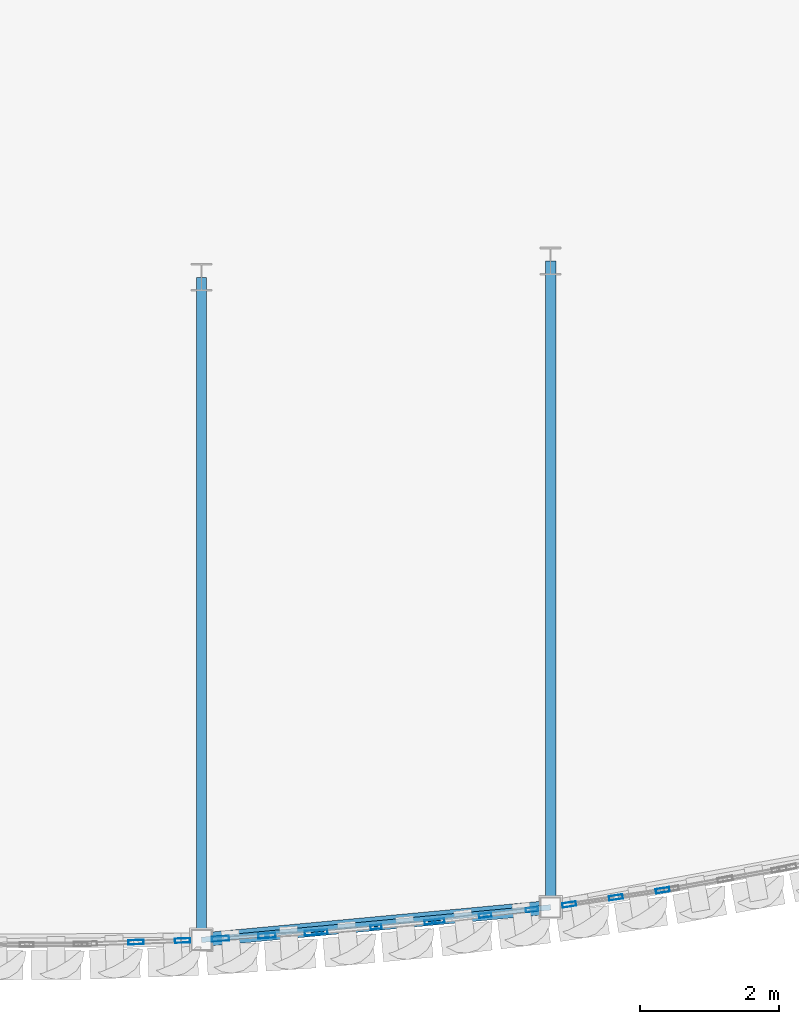
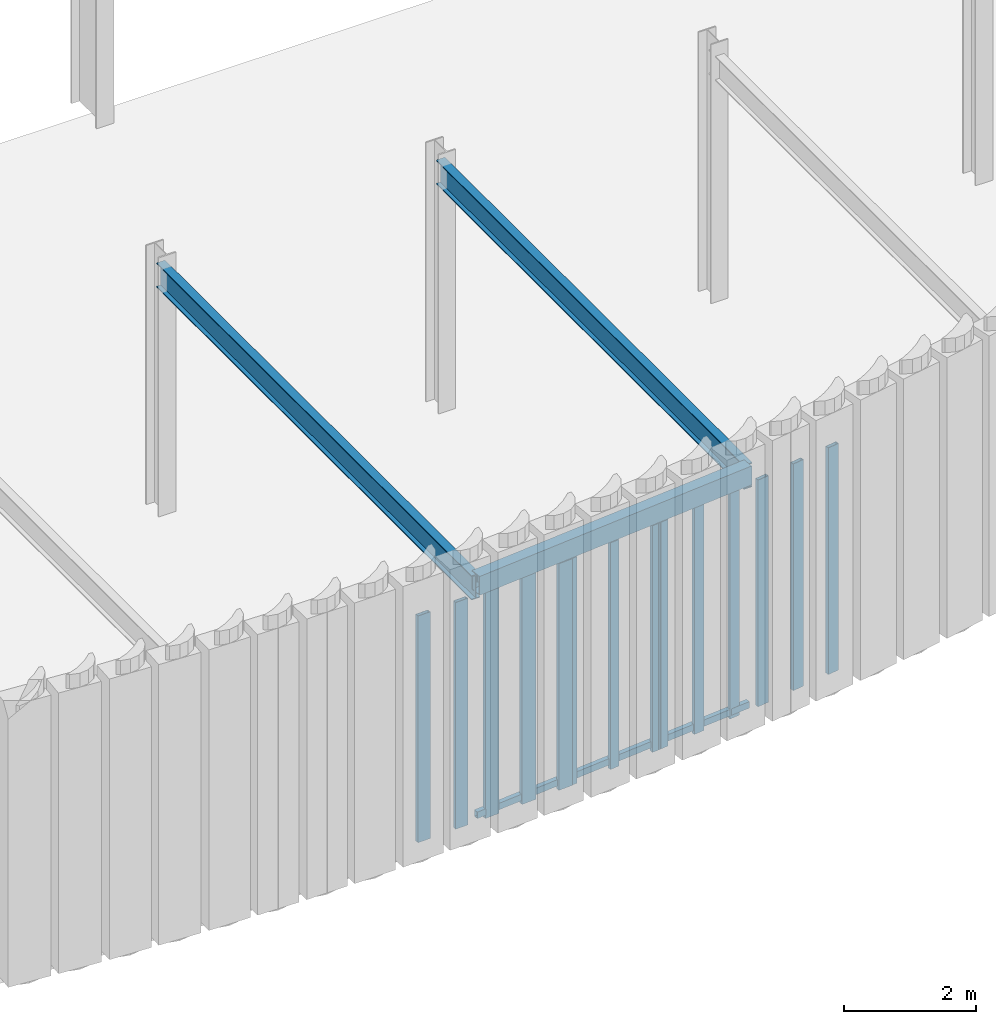
# One storey, part 46 of 126: 16 members, 3 beams, 5 elements without a shape of their own.
"""IFC4 building model written with IfcOpenShell, lengths in metres."""

from ifc_helpers import new_model, si_unit, direction, frame, origin, origin_2d, place, context, subcontext, project, spatial, hollow_rectangle, i_section, extrude, material, layer, layer_set, material_profile, profile_set, type_object, element, aggregate, save


model = new_model("IFC4")

# Units and contexts
model_context = context("Model", 3, precision=1e-05, world=origin(), true_north=direction((0.0, 1.0)))
body_context = subcontext(model_context, "Body", "Model", "MODEL_VIEW")
ifc_project = project(units=[si_unit("LENGTHUNIT", "METRE"), si_unit("AREAUNIT", "SQUARE_METRE"), si_unit("VOLUMEUNIT", "CUBIC_METRE"), si_unit("PLANEANGLEUNIT", "RADIAN"), si_unit("MASSUNIT", "GRAM", prefix="KILO")], contexts=[model_context])

# Site, building, storey
site_placement = place(None, origin())
site = spatial("IfcSite", under=ifc_project, at=site_placement, CompositionType="ELEMENT")
building_placement = place(site_placement, origin())
building = spatial("IfcBuilding", under=site, at=building_placement, Name="Solvadek Multi-Sports Hall", CompositionType="ELEMENT")
storey_placement = place(building_placement, frame((0.0, 0.0, 9.60009765625)))
storey = spatial("IfcBuildingStorey", under=building, at=storey_placement, Name="L02", CompositionType="ELEMENT", Elevation=9.60009765625)

# Curtain wall, members
ifc_material_1 = material(Name="Anodised aluminium", Category="aluminium")
ifc_layer_1 = layer(ifc_material_1, 0.159912109375, Name="Anodised aluminium")
ifc_layer_set_1 = layer_set([ifc_layer_1], Name="Anodised aluminium")
curtain_wall_type_1 = type_object("IfcCurtainWallType", Name="ENV-CW-163X420", PredefinedType="USERDEFINED", material=ifc_layer_set_1)
curtain_wall_1_placement = place(storey_placement, origin())
curtain_wall_1 = element("IfcCurtainWall", 1, at=curtain_wall_1_placement, inside=storey, type_object=curtain_wall_type_1, Name="L02 Crescent Curved Curtain Wall #70", ObjectType="CURTAIN WALL", PredefinedType="USERDEFINED")
ifc_material_profile_1 = material_profile(ifc_material_1, hollow_rectangle(XDim=0.06005859375, YDim=0.159912109375, WallThickness=0.00390625, at=origin_2d()), Name="ALU-M 160x60x4")
ifc_profile_set_1 = profile_set([ifc_material_profile_1], Name="Anodised aluminium")
member_type_1 = type_object("IfcMemberType", Name="ENV-CWM-01", PredefinedType="MULLION", material=ifc_profile_set_1)
member_1_placement = place(storey_placement, frame((98.2197265625, -13.015625, 0.0), z_axis=(0.0, 0.0, 1.0), x_axis=(-0.092796230852, 0.995685120678, 0.0)))
member_1 = element("IfcMember", 2, at=member_1_placement, type_object=member_type_1, Name="CW-15 mullion 1", PredefinedType="MULLION", context=body_context, shape_type="SweptSolid", body=[
    extrude(hollow_rectangle(XDim=0.06005859375, YDim=0.159912109375, WallThickness=0.00390625, at=origin_2d()), origin(), (0.0, 0.0, 1.0), 4.199951171875),
])
member_2_placement = place(storey_placement, frame((99.0, -12.94287109375, 0.0), z_axis=(0.0, 0.0, 1.0), x_axis=(-0.092796230852, 0.995685120678, 0.0)))
member_2 = element("IfcMember", 3, at=member_2_placement, type_object=member_type_1, Name="CW-15 mullion 2", PredefinedType="MULLION", context=body_context, shape_type="SweptSolid", body=[
    extrude(hollow_rectangle(XDim=0.06005859375, YDim=0.159912109375, WallThickness=0.00390625, at=origin_2d()), origin(), (0.0, 0.0, 1.0), 4.199951171875),
])
member_3_placement = place(storey_placement, frame((99.7802734375, -12.8701171875, 0.0), z_axis=(0.0, 0.0, 1.0), x_axis=(-0.092796230852, 0.995685120678, 0.0)))
member_3 = element("IfcMember", 4, at=member_3_placement, type_object=member_type_1, Name="CW-15 mullion 3", PredefinedType="MULLION", context=body_context, shape_type="SweptSolid", body=[
    extrude(hollow_rectangle(XDim=0.06005859375, YDim=0.159912109375, WallThickness=0.00390625, at=origin_2d()), origin(), (0.0, 0.0, 1.0), 4.199951171875),
])
aggregate(curtain_wall_1, [member_1, member_2, member_3])

ifc_layer_2 = layer(ifc_material_1, 0.159912109375, Name="Anodised aluminium")
ifc_layer_set_2 = layer_set([ifc_layer_2], Name="Anodised aluminium")
curtain_wall_type_2 = type_object("IfcCurtainWallType", Name="ENV-CW-142X420", PredefinedType="USERDEFINED", material=ifc_layer_set_2)
curtain_wall_2_placement = place(storey_placement, origin())
curtain_wall_2 = element("IfcCurtainWall", 5, at=curtain_wall_2_placement, inside=storey, type_object=curtain_wall_type_2, Name="L02 Crescent Curved Curtain Wall #72", ObjectType="CURTAIN WALL", PredefinedType="USERDEFINED")
ifc_material_profile_2 = material_profile(ifc_material_1, hollow_rectangle(XDim=0.06005859375, YDim=0.179931640625, WallThickness=0.00390625, at=origin_2d()), Name="ALU-M 180x60x4")
ifc_profile_set_2 = profile_set([ifc_material_profile_2], Name="Anodised aluminium")
member_type_2 = type_object("IfcMemberType", Name="ENV-CWM-02", PredefinedType="MULLION", material=ifc_profile_set_2)
member_4_placement = place(storey_placement, frame((99.899658203125, -12.857177734375, 0.0), z_axis=(0.0, 0.0, 1.0), x_axis=(-0.12168111635, 0.992569244901, 0.0)))
member_4 = element("IfcMember", 6, at=member_4_placement, type_object=member_type_2, Name="CW-27 mullion 1", PredefinedType="MULLION", context=body_context, shape_type="SweptSolid", body=[
    extrude(hollow_rectangle(XDim=0.06005859375, YDim=0.179931640625, WallThickness=0.00390625, at=origin_2d()), origin(), (0.0, 0.0, 1.0), 4.199951171875),
])
member_5_placement = place(storey_placement, frame((100.57568359375, -12.7744140625, 0.0), z_axis=(0.0, 0.0, 1.0), x_axis=(-0.12168111635, 0.992569244901, 0.0)))
member_5 = element("IfcMember", 7, at=member_5_placement, type_object=member_type_2, Name="CW-27 mullion 2", PredefinedType="MULLION", context=body_context, shape_type="SweptSolid", body=[
    extrude(hollow_rectangle(XDim=0.06005859375, YDim=0.179931640625, WallThickness=0.00390625, at=origin_2d()), origin(), (0.0, 0.0, 1.0), 4.199951171875),
])
member_6_placement = place(storey_placement, frame((101.251953125, -12.69140625, 0.0), z_axis=(0.0, 0.0, 1.0), x_axis=(-0.12168111635, 0.992569244901, 0.0)))
member_6 = element("IfcMember", 8, at=member_6_placement, type_object=member_type_2, Name="CW-27 mullion 3", PredefinedType="MULLION", context=body_context, shape_type="SweptSolid", body=[
    extrude(hollow_rectangle(XDim=0.06005859375, YDim=0.179931640625, WallThickness=0.00390625, at=origin_2d()), origin(), (0.0, 0.0, 1.0), 4.199951171875),
])
aggregate(curtain_wall_2, [member_4, member_5, member_6])

ifc_layer_3 = layer(ifc_material_1, 0.159912109375, Name="Anodised aluminium")
ifc_layer_set_3 = layer_set([ifc_layer_3], Name="Anodised aluminium")
curtain_wall_type_3 = type_object("IfcCurtainWallType", Name="ENV-CW-143X420", PredefinedType="USERDEFINED", material=ifc_layer_set_3)
curtain_wall_3_placement = place(storey_placement, origin())
curtain_wall_3 = element("IfcCurtainWall", 9, at=curtain_wall_3_placement, inside=storey, type_object=curtain_wall_type_3, Name="L02 Crescent Curved Curtain Wall #74", ObjectType="CURTAIN WALL", PredefinedType="USERDEFINED")
ifc_material_profile_3 = material_profile(ifc_material_1, hollow_rectangle(XDim=0.06494140625, YDim=0.199951171875, WallThickness=0.0048828125, at=origin_2d()), Name="ALU-M 200x65x5")
ifc_profile_set_3 = profile_set([ifc_material_profile_3], Name="Anodised aluminium")
member_type_3 = type_object("IfcMemberType", Name="ENV-CWM-03", PredefinedType="MULLION", material=ifc_profile_set_3)
member_7_placement = place(storey_placement, frame((101.78955078125, -12.61767578125, 0.0), z_axis=(0.0, 0.0, 1.0), x_axis=(-0.150563892653, 0.98860028031, 0.0)))
member_7 = element("IfcMember", 10, at=member_7_placement, type_object=member_type_3, Name="CW-26 mullion 1", PredefinedType="MULLION", context=body_context, shape_type="SweptSolid", body=[
    extrude(hollow_rectangle(XDim=0.06494140625, YDim=0.199951171875, WallThickness=0.0048828125, at=origin_2d()), origin(), (0.0, 0.0, 1.0), 4.199951171875),
])
member_8_placement = place(storey_placement, frame((102.4638671875, -12.514892578125, 0.0), z_axis=(0.0, 0.0, 1.0), x_axis=(-0.150563892653, 0.98860028031, 0.0)))
member_8 = element("IfcMember", 11, at=member_8_placement, type_object=member_type_3, Name="CW-26 mullion 2", PredefinedType="MULLION", context=body_context, shape_type="SweptSolid", body=[
    extrude(hollow_rectangle(XDim=0.06494140625, YDim=0.199951171875, WallThickness=0.0048828125, at=origin_2d()), origin(), (0.0, 0.0, 1.0), 4.199951171875),
])
member_9_placement = place(storey_placement, frame((103.13818359375, -12.412109375, 0.0), z_axis=(0.0, 0.0, 1.0), x_axis=(-0.150563892653, 0.98860028031, 0.0)))
member_9 = element("IfcMember", 12, at=member_9_placement, type_object=member_type_3, Name="CW-26 mullion 3", PredefinedType="MULLION", context=body_context, shape_type="SweptSolid", body=[
    extrude(hollow_rectangle(XDim=0.06494140625, YDim=0.199951171875, WallThickness=0.0048828125, at=origin_2d()), origin(), (0.0, 0.0, 1.0), 4.199951171875),
])
aggregate(curtain_wall_3, [member_7, member_8, member_9])

ifc_layer_4 = layer(ifc_material_1, 0.159912109375, Name="Anodised aluminium")
ifc_layer_set_4 = layer_set([ifc_layer_4], Name="Anodised aluminium")
curtain_wall_type_4 = type_object("IfcCurtainWallType", Name="ENV-CW-141X420", PredefinedType="USERDEFINED", material=ifc_layer_set_4)
curtain_wall_4_placement = place(storey_placement, origin())
curtain_wall_4 = element("IfcCurtainWall", 13, at=curtain_wall_4_placement, inside=storey, type_object=curtain_wall_type_4, Name="L02 Crescent Curved Curtain Wall #66", ObjectType="CURTAIN WALL", PredefinedType="USERDEFINED")
ifc_material_profile_4 = material_profile(ifc_material_1, hollow_rectangle(XDim=0.06494140625, YDim=0.219970703125, WallThickness=0.0048828125, at=origin_2d()), Name="ALU-M 220x65x5")
ifc_profile_set_4 = profile_set([ifc_material_profile_4], Name="Anodised aluminium")
member_type_4 = type_object("IfcMemberType", Name="ENV-CWM-04", PredefinedType="MULLION", material=ifc_profile_set_4)
member_10_placement = place(storey_placement, frame((95.53515625, -13.161865234375, 0.0), z_axis=(0.0, 0.0, 1.0), x_axis=(-0.035011498004, 0.999386909564, 0.0)))
member_10 = element("IfcMember", 14, at=member_10_placement, type_object=member_type_4, Name="CW-28 mullion 2", PredefinedType="MULLION", context=body_context, shape_type="SweptSolid", body=[
    extrude(hollow_rectangle(XDim=0.06494140625, YDim=0.219970703125, WallThickness=0.0048828125, at=origin_2d()), origin(), (0.0, 0.0, 1.0), 4.199951171875),
])
member_11_placement = place(storey_placement, frame((96.20751953125, -13.13818359375, 0.0), z_axis=(0.0, 0.0, 1.0), x_axis=(-0.035011498004, 0.999386909564, 0.0)))
member_11 = element("IfcMember", 15, at=member_11_placement, type_object=member_type_4, Name="CW-28 mullion 3", PredefinedType="MULLION", context=body_context, shape_type="SweptSolid", body=[
    extrude(hollow_rectangle(XDim=0.06494140625, YDim=0.219970703125, WallThickness=0.0048828125, at=origin_2d()), origin(), (0.0, 0.0, 1.0), 4.199951171875),
])
aggregate(curtain_wall_4, [member_10, member_11])

curtain_wall_5_placement = place(storey_placement, origin())
curtain_wall_5 = element("IfcCurtainWall", 16, at=curtain_wall_5_placement, inside=storey, type_object=curtain_wall_type_4, Name="L02 Crescent Curved Curtain Wall #68", ObjectType="CURTAIN WALL", PredefinedType="USERDEFINED")
ifc_material_profile_5 = material_profile(ifc_material_1, hollow_rectangle(XDim=0.070068359375, YDim=0.25, WallThickness=0.0048828125, at=origin_2d()), Name="ALU-M 250x70x5")
ifc_profile_set_5 = profile_set([ifc_material_profile_5], Name="Anodised aluminium")
member_type_5 = type_object("IfcMemberType", Name="ENV-CWM-05", PredefinedType="MULLION", material=ifc_profile_set_5)
member_12_placement = place(storey_placement, frame((96.75439453125, -13.111083984375, 0.0), z_axis=(0.0, 0.0, 1.0), x_axis=(-0.063955006096, 0.997952783049, 0.0)))
member_12 = element("IfcMember", 17, at=member_12_placement, type_object=member_type_5, Name="CW-28 mullion 1", PredefinedType="MULLION", context=body_context, shape_type="SweptSolid", body=[
    extrude(hollow_rectangle(XDim=0.070068359375, YDim=0.25, WallThickness=0.0048828125, at=origin_2d()), origin(), (0.0, 0.0, 1.0), 4.199951171875),
])
member_13_placement = place(storey_placement, frame((97.4248046875, -13.068115234375, 0.0), z_axis=(0.0, 0.0, 1.0), x_axis=(-0.063955006096, 0.997952783049, 0.0)))
member_13 = element("IfcMember", 18, at=member_13_placement, type_object=member_type_5, Name="CW-28 mullion 2", PredefinedType="MULLION", context=body_context, shape_type="SweptSolid", body=[
    extrude(hollow_rectangle(XDim=0.070068359375, YDim=0.25, WallThickness=0.0048828125, at=origin_2d()), origin(), (0.0, 0.0, 1.0), 4.199951171875),
])
member_14_placement = place(storey_placement, frame((98.09521484375, -13.025146484375, 0.0), z_axis=(0.0, 0.0, 1.0), x_axis=(-0.063955006096, 0.997952783049, 0.0)))
member_14 = element("IfcMember", 19, at=member_14_placement, type_object=member_type_5, Name="CW-28 mullion 3", PredefinedType="MULLION", context=body_context, shape_type="SweptSolid", body=[
    extrude(hollow_rectangle(XDim=0.070068359375, YDim=0.25, WallThickness=0.0048828125, at=origin_2d()), origin(), (0.0, 0.0, 1.0), 4.199951171875),
])
aggregate(curtain_wall_5, [member_12, member_13, member_14])

# Beams
ifc_material_2 = material(Name="Steel E350 (350 MPa)", Category="steel")
ifc_material_profile_6 = material_profile(ifc_material_2, i_section(OverallWidth=0.14990234375, OverallDepth=0.449951171875, WebThickness=0.009521484375, FlangeThickness=0.017333984375, at=origin_2d()), Name="ISMB 450")
ifc_profile_set_6 = profile_set([ifc_material_profile_6], Name="Steel E350 (350 MPa)")
beam_type_1 = type_object("IfcBeamType", Name="STR-BM-ISMB450", PredefinedType="BEAM", material=ifc_profile_set_6)
beam_1_placement = place(storey_placement, frame((96.47998046875, -13.128662109375, 4.3349609375), z_axis=(0.0, 1.0, 0.0), x_axis=(-1.0, 0.0, 0.0)))
element("IfcBeam", 20, at=beam_1_placement, inside=storey, type_object=beam_type_1, Name="L02 Girder B-09 #1589", PredefinedType="BEAM", context=body_context, shape_type="SweptSolid", body=[
    extrude(i_section(OverallWidth=0.14990234375, OverallDepth=0.449951171875, WebThickness=0.009521484375, FlangeThickness=0.017333984375, at=origin_2d()), origin(), (0.0, 0.0, 1.0), 9.564208984375),
])
beam_2_placement = place(storey_placement, frame((101.52001953125, -12.65869140625, 4.3349609375), z_axis=(0.0, 1.0, 0.0), x_axis=(-1.0, 0.0, 0.0)))
element("IfcBeam", 21, at=beam_2_placement, inside=storey, type_object=beam_type_1, Name="L02 Girder B-09 #1590", PredefinedType="BEAM", context=body_context, shape_type="SweptSolid", body=[
    extrude(i_section(OverallWidth=0.14990234375, OverallDepth=0.449951171875, WebThickness=0.009521484375, FlangeThickness=0.017333984375, at=origin_2d()), origin(), (0.0, 0.0, 1.0), 9.329345703125),
])
ifc_material_profile_7 = material_profile(ifc_material_2, hollow_rectangle(XDim=0.199951171875, YDim=0.35009765625, WallThickness=0.011962890625, at=origin_2d()), Name="RHS 350x200x12")
ifc_profile_set_7 = profile_set([ifc_material_profile_7], Name="Steel E350 (350 MPa)")
beam_type_2 = type_object("IfcBeamType", Name="STR-SPN-RHS350", PredefinedType="SPANDREL", material=ifc_profile_set_7)
beam_3_placement = place(storey_placement, frame((96.47998046875, -13.128662109375, 4.40478515625), z_axis=(0.995680605948, 0.092844660262, 0.0), x_axis=(-0.092844660262, 0.995680605948, 0.0)))
element("IfcBeam", 22, at=beam_3_placement, inside=storey, type_object=beam_type_2, Name="L02 Curved Crescent Spandrel #69", PredefinedType="SPANDREL", context=body_context, shape_type="SweptSolid", body=[
    extrude(hollow_rectangle(XDim=0.199951171875, YDim=0.35009765625, WallThickness=0.011962890625, at=origin_2d()), origin(), (0.0, 0.0, 1.0), 5.06201171875),
])

# Members
ifc_material_3 = material(Name="Steel E250 (250 MPa)", Category="steel")
ifc_material_profile_8 = material_profile(ifc_material_3, hollow_rectangle(XDim=0.080078125, YDim=0.1201171875, WallThickness=0.006103515625, at=origin_2d()), Name="RHS 120x80x6")
ifc_profile_set_8 = profile_set([ifc_material_profile_8], Name="Steel E250 (250 MPa)")
member_type_6 = type_object("IfcMemberType", Name="STR-STD-RHS120", PredefinedType="STUD", material=ifc_profile_set_8)
for number, where, z_axis, x_axis, name in (
    (23, (96.47998046875, -13.128662109375, 0.119873046875), (0.995680605948, 0.092844660262, 0.0), (-0.092844660262, 0.995680605948, 0.0), "L02 Flute Subframe Rail E-3 bot"),
    (24, (96.47998046875, -13.128662109375, 4.5), (0.995680605948, 0.092844660262, 0.0), (-0.092844660262, 0.995680605948, 0.0), "L02 Flute Subframe Rail E-3 top"),
):
    element("IfcMember", number, at=place(storey_placement, frame(where, z_axis=z_axis, x_axis=x_axis)), inside=storey, type_object=member_type_6, Name=name, PredefinedType="STUD", context=body_context, shape_type="SweptSolid", body=[
        extrude(hollow_rectangle(XDim=0.080078125, YDim=0.1201171875, WallThickness=0.006103515625, at=origin_2d()), origin(), (0.0, 0.0, 1.0), 5.06201171875),
    ])

save(model, "model.ifc")
